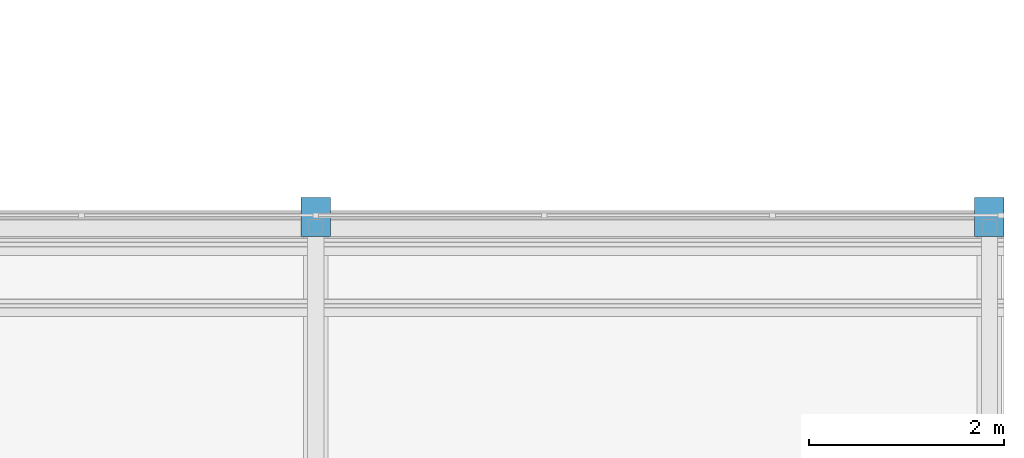
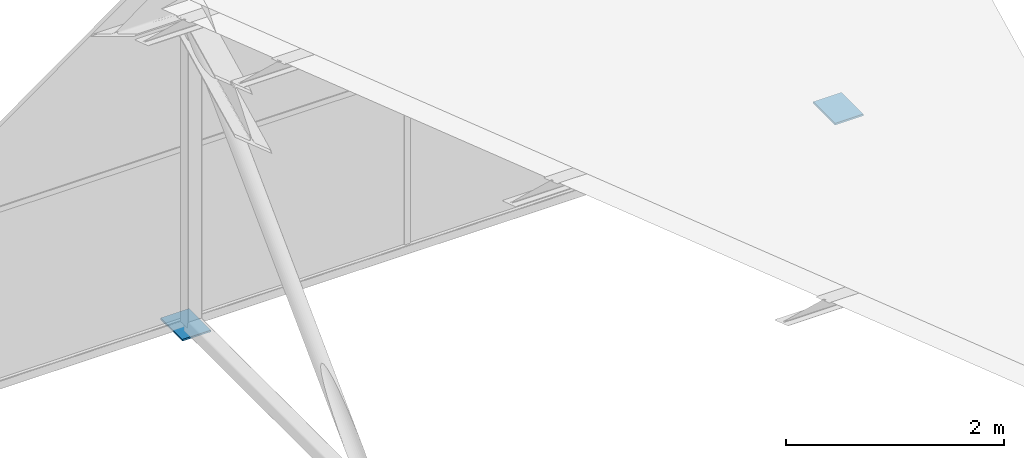
# One storey, part 27 of 29: 2 discrete accessories.
"""IFC4 building model written with IfcOpenShell, lengths in metres."""

import ifcopenshell
import ifcopenshell.guid

model = None  # the IFC model being written
_history = None  # IfcOwnerHistory: only IFC2X3 demands one
_inside = {}  # id of a spatial element -> (the spatial element, [elements in it])
_under = {}  # id of a project, library or spatial element -> (it, [spatial elements below it])
_declared = {}  # id of a project -> (the project, [libraries it declares])
_typed = {}  # id of a type object -> (the type object, [elements of that type])
_made_of = {}  # id of a material, layer set ... -> (it, [elements and type objects made of it])


def new_model(schema):
    """Start an empty IFC model of exactly this schema.

    Asked for "IFC4X3", IfcOpenShell would pick the latest addendum, in which some entities
    have other attributes; the version numbers below select the first issue.
    IFC2X3 requires an IfcOwnerHistory on every rooted entity: one is made here for all.
    """
    global model, _history
    if schema == "IFC4X3":
        model = ifcopenshell.file(schema_version=(4, 3, 0, 0))
    else:
        model = ifcopenshell.file(schema=schema)
    _inside.clear()
    _under.clear()
    _declared.clear()
    _typed.clear()
    _made_of.clear()
    _history = None
    if model.schema == "IFC2X3":
        org = make("IfcOrganization", Name="unknown")
        user = make(
            "IfcPersonAndOrganization",
            ThePerson=make("IfcPerson", FamilyName="unknown"),
            TheOrganization=org,
        )
        app = make(
            "IfcApplication",
            ApplicationDeveloper=org,
            Version="unknown",
            ApplicationFullName="unknown",
            ApplicationIdentifier="unknown",
        )
        _history = make(
            "IfcOwnerHistory",
            OwningUser=user,
            OwningApplication=app,
            ChangeAction="ADDED",
            CreationDate=0,
        )
    return model


def make(cls, **values):
    """One entity of the class cls with the attributes given. An attribute that is None is left unset."""
    return model.create_entity(
        cls, **{name: value for name, value in values.items() if value is not None}
    )


def rooted(cls, **values):
    """An entity with a GlobalId (a new one), such as an element, a storey or a relation."""
    return make(cls, GlobalId=ifcopenshell.guid.new(), OwnerHistory=_history, **values)


def si_unit(unit_type, name, prefix=None):
    """IfcSIUnit, for example si_unit("LENGTHUNIT", "METRE", prefix="MILLI")."""
    return make("IfcSIUnit", UnitType=unit_type, Prefix=prefix, Name=name)


def assignment(units):
    """IfcUnitAssignment: the units of a project."""
    return None if units is None else make("IfcUnitAssignment", Units=units)


def point(xyz):
    """IfcCartesianPoint."""
    return None if xyz is None else make("IfcCartesianPoint", Coordinates=xyz)


def direction(xyz):
    """IfcDirection."""
    return None if xyz is None else make("IfcDirection", DirectionRatios=xyz)


def frame(location, z_axis=None, x_axis=None):
    """IfcAxis2Placement3D, a coordinate frame: its origin and axes. An axis left out is left unset."""
    return make(
        "IfcAxis2Placement3D",
        Location=point(location),
        Axis=direction(z_axis),
        RefDirection=direction(x_axis),
    )


def frame_2d(location, x_axis=None):
    """IfcAxis2Placement2D, a coordinate frame in the plane: its origin and x axis."""
    return make(
        "IfcAxis2Placement2D", Location=point(location), RefDirection=direction(x_axis)
    )


def origin():
    """The frame at (0, 0, 0) with its axes left unset."""
    return frame((0.0, 0.0, 0.0))


def origin_2d():
    """The frame at (0, 0) in the plane with its x axis left unset."""
    return frame_2d((0.0, 0.0))


def place(relative_to, where):
    """IfcLocalPlacement: puts the frame where relative to a parent placement (None: the world)."""
    return make(
        "IfcLocalPlacement", PlacementRelTo=relative_to, RelativePlacement=where
    )


def context(
    kind, dimensions, precision=None, world=None, true_north=None, identifier=None
):
    """IfcGeometricRepresentationContext, for example the 3D "Model" context."""
    return make(
        "IfcGeometricRepresentationContext",
        ContextIdentifier=identifier,
        ContextType=kind,
        CoordinateSpaceDimension=dimensions,
        Precision=precision,
        WorldCoordinateSystem=world,
        TrueNorth=true_north,
    )


def subcontext(parent, identifier, kind, view, scale=None):
    """IfcGeometricRepresentationSubContext, for example "Body" below "Model"."""
    return make(
        "IfcGeometricRepresentationSubContext",
        ContextIdentifier=identifier,
        ContextType=kind,
        ParentContext=parent,
        TargetScale=scale,
        TargetView=view,
    )


def project(units=None, contexts=None):
    """IfcProject with its units and contexts."""
    return rooted(
        "IfcProject",
        Name="project",
        RepresentationContexts=contexts,
        UnitsInContext=assignment(units),
    )


def spatial(cls, under=None, at=None, **own):
    """A site, building, storey or space (cls), placed at a placement, below another one or the project."""
    s = rooted(cls, ObjectPlacement=at, **own)
    if under is not None:
        _under.setdefault(under.id(), (under, []))[1].append(s)
    return s


def profile(cls, at=None, kind="AREA", **sizes):
    """A parametric profile (cls). Its sizes go by their IFC names, for example OverallWidth=200.0."""
    return make(cls, ProfileType=kind, Position=at, **sizes)


def rectangle(**sizes):
    """IfcRectangleProfileDef."""
    return profile("IfcRectangleProfileDef", **sizes)


def extrude(swept, where, along, depth):
    """IfcExtrudedAreaSolid: the profile swept, set in the frame where, extruded along a direction by depth."""
    return make(
        "IfcExtrudedAreaSolid",
        SweptArea=swept,
        Position=where,
        ExtrudedDirection=direction(along),
        Depth=depth,
    )


def shape(context_of_items, identifier, shape_type, items):
    """IfcShapeRepresentation: the items that make up one representation, for example the "Body"."""
    return make(
        "IfcShapeRepresentation",
        ContextOfItems=context_of_items,
        RepresentationIdentifier=identifier,
        RepresentationType=shape_type,
        Items=items,
    )


def material(Name=None, Category=None):
    """IfcMaterial."""
    return make("IfcMaterial", Name=Name, Category=Category)


def made_of(thing, what):
    """Note that an element or type object is made of a material, layer set ...; save() writes the relation."""
    if what is not None:
        _made_of.setdefault(what.id(), (what, []))[1].append(thing)
    return thing


def element(
    cls,
    number,
    at=None,
    inside=None,
    cuts=None,
    type_object=None,
    material=None,
    context=None,
    identifier="Body",
    shape_type=None,
    held_by="IfcProductDefinitionShape",
    body=None,
    shapes=None,
    **own,
):
    """One element of the class cls, such as IfcWall. Its Tag is "e" and its number.

    at: its placement. inside: the storey or other place that contains it. cuts: it is an
    opening in that element (IfcRelVoidsElement). A single representation is given by context,
    identifier, shape_type and body (its items); several are given by shapes. held_by: the class
    of the entity that holds the representations. save() writes the other relations.
    """
    e = rooted(cls, Tag="e%d" % number, ObjectPlacement=at, **own)
    if body is not None:
        shapes = [shape(context, identifier, shape_type, body)]
    if shapes is not None:
        e.Representation = make(held_by, Representations=shapes)
    if inside is not None:
        _inside.setdefault(inside.id(), (inside, []))[1].append(e)
    if cuts is not None:
        rooted(
            "IfcRelVoidsElement", RelatingBuildingElement=cuts, RelatedOpeningElement=e
        )
    if type_object is not None:
        _typed.setdefault(type_object.id(), (type_object, []))[1].append(e)
    return made_of(e, material)


def aggregate(whole, parts):
    """IfcRelAggregates: a whole, such as a stair, and the parts it consists of."""
    return rooted("IfcRelAggregates", RelatingObject=whole, RelatedObjects=parts)


def save(model, path):
    """Write the relations noted so far, then the file.

    IfcRelAggregates (storeys below a building ...), IfcRelContainedInSpatialStructure (elements
    in a storey), IfcRelDefinesByType, IfcRelAssociatesMaterial and IfcRelDeclares: one each for
    every whole, place, type object, material and project.
    """
    for whole, parts in _under.values():
        aggregate(whole, parts)
    for where, things in _inside.values():
        rooted(
            "IfcRelContainedInSpatialStructure",
            RelatedElements=things,
            RelatingStructure=where,
        )
    for kind, things in _typed.values():
        rooted("IfcRelDefinesByType", RelatedObjects=things, RelatingType=kind)
    for what, things in _made_of.values():
        rooted("IfcRelAssociatesMaterial", RelatedObjects=things, RelatingMaterial=what)
    for by, libraries in _declared.values():
        rooted("IfcRelDeclares", RelatingContext=by, RelatedDefinitions=libraries)
    model.write(path)


model = new_model("IFC4")

# Units and contexts
model_context = context("Model", 3, precision=1e-05, world=origin(), true_north=direction((0.0, 1.0)))
body_context = subcontext(model_context, "Body", "Model", "MODEL_VIEW")
ifc_project = project(units=[si_unit("LENGTHUNIT", "METRE"), si_unit("AREAUNIT", "SQUARE_METRE"), si_unit("VOLUMEUNIT", "CUBIC_METRE"), si_unit("PLANEANGLEUNIT", "RADIAN"), si_unit("MASSUNIT", "GRAM", prefix="KILO")], contexts=[model_context])

# Site, building, storey
site_placement = place(None, origin())
site = spatial("IfcSite", under=ifc_project, at=site_placement, CompositionType="ELEMENT")
building_placement = place(site_placement, origin())
building = spatial("IfcBuilding", under=site, at=building_placement, Name="Silangan Lancet Faculty of Sciences", CompositionType="ELEMENT")
storey_placement = place(building_placement, frame((0.0, 0.0, 40.800048828125)))
storey = spatial("IfcBuildingStorey", under=building, at=storey_placement, Name="L08", CompositionType="ELEMENT", Elevation=40.800048828125)

# Discrete accessories
ifc_material = material(Name="Steel SS400", Category="steel")
for number, where, z_axis, x_axis, name in (
    (1, (43.199951171875, 35.639892578125, 0.0), (0.0, 0.0, 1.0), (1.0, 0.0, 0.0), "Truss bearing plate ATRIUM-7-3"),
    (2, (50.10009765625, 35.639892578125, 0.0), (0.0, 0.0, 1.0), (1.0, 0.0, 0.0), "Truss bearing plate ATRIUM-8-3"),
):
    element("IfcDiscreteAccessory", number, at=place(storey_placement, frame(where, z_axis=z_axis, x_axis=x_axis)), inside=storey, material=ifc_material, Name=name, PredefinedType="ANCHORPLATE", context=body_context, shape_type="SweptSolid", body=[
        extrude(rectangle(XDim=0.300048828125, YDim=0.39990234375, at=origin_2d()), origin(), (0.0, 0.0, 1.0), 0.02001953125),
    ])

save(model, "model.ifc")
